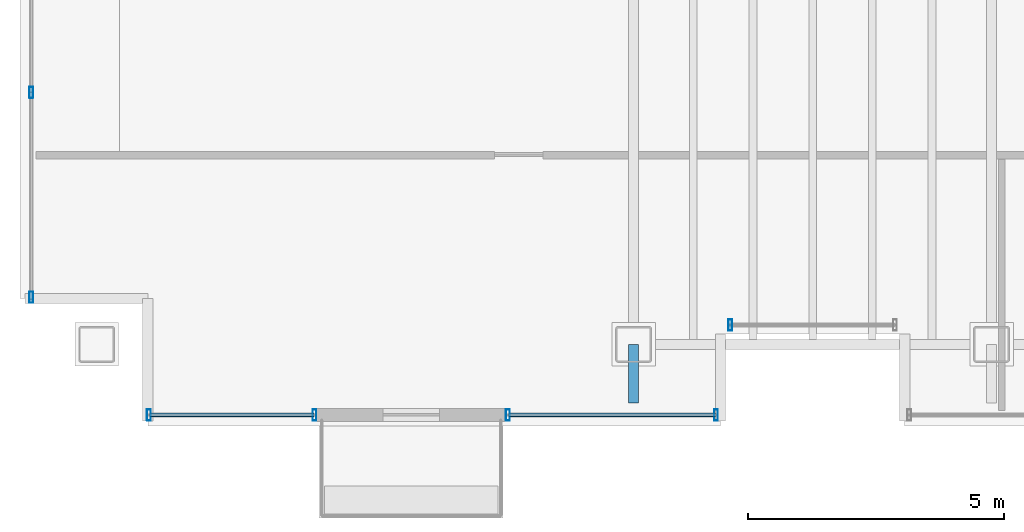
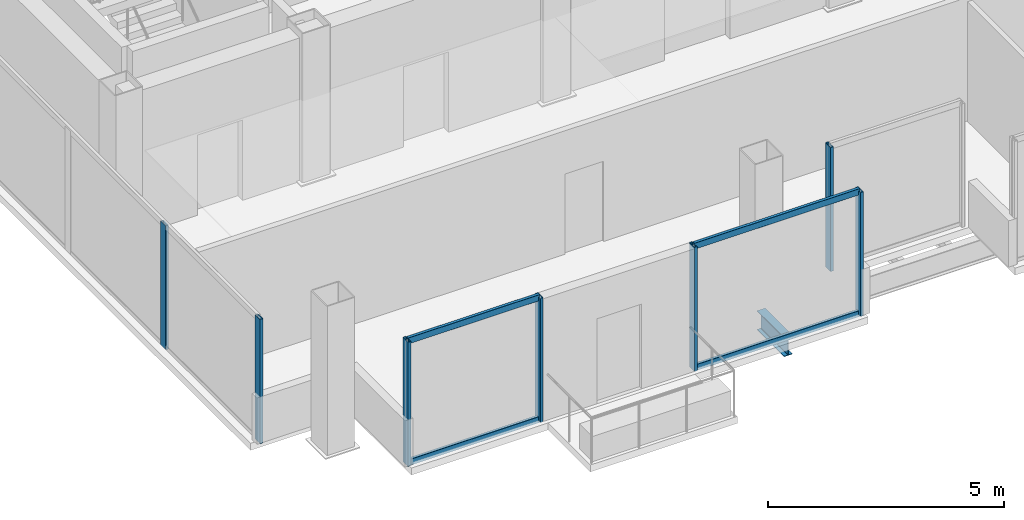
# One storey, part 2 of 17: 11 members, 1 beam, 4 elements without a shape of their own.
"""IFC4 building model written with IfcOpenShell, lengths in metres."""

from ifc_helpers import new_model, si_unit, direction, frame, origin, origin_2d, place, context, subcontext, project, spatial, hollow_rectangle, i_section, extrude, material, material_profile, profile_set, type_object, element, aggregate, save


model = new_model("IFC4")

# Units and contexts
model_context = context("Model", 3, precision=1e-05, world=origin(), true_north=direction((0.0, 1.0)))
body_context = subcontext(model_context, "Body", "Model", "MODEL_VIEW")
ifc_project = project(units=[si_unit("LENGTHUNIT", "METRE"), si_unit("AREAUNIT", "SQUARE_METRE"), si_unit("VOLUMEUNIT", "CUBIC_METRE"), si_unit("PLANEANGLEUNIT", "RADIAN"), si_unit("MASSUNIT", "GRAM", prefix="KILO")], contexts=[model_context])

# Site, building, storey
site_placement = place(None, origin())
site = spatial("IfcSite", under=ifc_project, at=site_placement, CompositionType="ELEMENT")
building_placement = place(site_placement, origin())
building = spatial("IfcBuilding", under=site, at=building_placement, Name="Noeulbin Bourse Tower", CompositionType="ELEMENT")
storey_placement = place(building_placement, frame((0.0, 0.0, 285.199951171875)))
storey = spatial("IfcBuildingStorey", under=building, at=storey_placement, Name="L71", CompositionType="ELEMENT", Elevation=285.199951171875)

# Beam
ifc_material_1 = material(Name="Steel S355", Category="steel")
ifc_material_profile_1 = material_profile(ifc_material_1, i_section(OverallWidth=0.199951171875, OverallDepth=0.5, WebThickness=0.010009765625, FlangeThickness=0.01611328125, FilletRadius=0.02001953125, at=origin_2d()), Name="H-500x200x10x16", Category="LoadBearing")
ifc_profile_set_1 = profile_set([ifc_material_profile_1], Name="Steel S355")
beam_type = type_object("IfcBeamType", Name="BM-GRD-500", PredefinedType="USERDEFINED", material=ifc_profile_set_1)
beam_placement = place(storey_placement, frame((24.0, 18.85009765625, -0.429931640625), z_axis=(0.0, 1.0, 0.0), x_axis=(-1.0, 0.0, 0.0)))
element("IfcBeam", 1, at=beam_placement, inside=storey, type_object=beam_type, Name="Tower Primary Girder NS L71-2.1", ObjectType="GIRDER", PredefinedType="USERDEFINED", context=body_context, shape_type="SweptSolid", body=[
    extrude(i_section(OverallWidth=0.199951171875, OverallDepth=0.5, WebThickness=0.010009765625, FlangeThickness=0.01611328125, FilletRadius=0.02001953125, at=origin_2d()), origin(), (0.0, 0.0, 1.0), 1.14990234375),
])

# Curtain wall, member
ifc_material_2 = material(Name="High-Selectivity Low-Iron Glazing", Category="glass")
curtain_wall_type = type_object("IfcCurtainWallType", Name="CW-SYS-4", PredefinedType="NOTDEFINED", material=ifc_material_2)
curtain_wall_1_placement = place(storey_placement, origin())
curtain_wall_1 = element("IfcCurtainWall", 2, at=curtain_wall_1_placement, inside=storey, type_object=curtain_wall_type, Name="Unitised Curtain Wall CW-L71-SREC", PredefinedType="NOTDEFINED")
ifc_material_3 = material(Name="Anodised Aluminium 6063-T6", Category="aluminium")
ifc_material_profile_2 = material_profile(ifc_material_3, hollow_rectangle(XDim=0.074951171875, YDim=0.219970703125, WallThickness=0.0048828125, InnerFilletRadius=0.00244140625, OuterFilletRadius=0.0048828125, at=origin_2d()), Name="ALU-MULL-75x220x5", Category="LoadBearing")
ifc_profile_set_2 = profile_set([ifc_material_profile_2], Name="Anodised Aluminium 6063-T6")
member_type_1 = type_object("IfcMemberType", Name="CW-SYS-4-MUL", PredefinedType="MULLION", material=ifc_profile_set_2)
member_1_placement = place(storey_placement, frame((25.889892578125, 20.3798828125, -0.02001953125), z_axis=(0.0, 0.0, 1.0), x_axis=(1.0, 0.0, 0.0)))
member_1 = element("IfcMember", 3, at=member_1_placement, type_object=member_type_1, Name="Curtain Wall Mullion CW-L71-SREC-M00", PredefinedType="MULLION", context=body_context, shape_type="SweptSolid", body=[
    extrude(hollow_rectangle(XDim=0.074951171875, YDim=0.219970703125, WallThickness=0.0048828125, InnerFilletRadius=0.00244140625, OuterFilletRadius=0.0048828125, at=origin_2d()), origin(), (0.0, 0.0, 1.0), 3.219970703125),
])
aggregate(curtain_wall_1, [member_1])

# Curtain wall, members
curtain_wall_2_placement = place(storey_placement, origin())
curtain_wall_2 = element("IfcCurtainWall", 4, at=curtain_wall_2_placement, inside=storey, type_object=curtain_wall_type, Name="Unitised Curtain Wall CW-L71-S1", PredefinedType="NOTDEFINED")
member_2_placement = place(storey_placement, frame((14.52001953125, 18.6201171875, -0.02001953125), z_axis=(0.0, 0.0, 1.0), x_axis=(1.0, 0.0, 0.0)))
member_2 = element("IfcMember", 5, at=member_2_placement, type_object=member_type_1, Name="Curtain Wall Mullion CW-L71-S1-M00", PredefinedType="MULLION", context=body_context, shape_type="SweptSolid", body=[
    extrude(hollow_rectangle(XDim=0.074951171875, YDim=0.219970703125, WallThickness=0.0048828125, InnerFilletRadius=0.00244140625, OuterFilletRadius=0.0048828125, at=origin_2d()), origin(), (0.0, 0.0, 1.0), 3.219970703125),
])
member_3_placement = place(storey_placement, frame((17.760009765625, 18.6201171875, -0.02001953125), z_axis=(0.0, 0.0, 1.0), x_axis=(1.0, 0.0, 0.0)))
member_3 = element("IfcMember", 6, at=member_3_placement, type_object=member_type_1, Name="Curtain Wall Mullion CW-L71-S1-M01", PredefinedType="MULLION", context=body_context, shape_type="SweptSolid", body=[
    extrude(hollow_rectangle(XDim=0.074951171875, YDim=0.219970703125, WallThickness=0.0048828125, InnerFilletRadius=0.00244140625, OuterFilletRadius=0.0048828125, at=origin_2d()), origin(), (0.0, 0.0, 1.0), 3.219970703125),
])

curtain_wall_3_placement = place(storey_placement, origin())
curtain_wall_3 = element("IfcCurtainWall", 7, at=curtain_wall_3_placement, inside=storey, type_object=curtain_wall_type, Name="Unitised Curtain Wall CW-L71-S2", PredefinedType="NOTDEFINED")
member_4_placement = place(storey_placement, frame((21.5400390625, 18.6201171875, -0.02001953125), z_axis=(0.0, 0.0, 1.0), x_axis=(1.0, 0.0, 0.0)))
member_4 = element("IfcMember", 8, at=member_4_placement, type_object=member_type_1, Name="Curtain Wall Mullion CW-L71-S2-M00", PredefinedType="MULLION", context=body_context, shape_type="SweptSolid", body=[
    extrude(hollow_rectangle(XDim=0.074951171875, YDim=0.219970703125, WallThickness=0.0048828125, InnerFilletRadius=0.00244140625, OuterFilletRadius=0.0048828125, at=origin_2d()), origin(), (0.0, 0.0, 1.0), 3.219970703125),
])
member_5_placement = place(storey_placement, frame((25.610107421875, 18.6201171875, -0.02001953125), z_axis=(0.0, 0.0, 1.0), x_axis=(1.0, 0.0, 0.0)))
member_5 = element("IfcMember", 9, at=member_5_placement, type_object=member_type_1, Name="Curtain Wall Mullion CW-L71-S2-M01", PredefinedType="MULLION", context=body_context, shape_type="SweptSolid", body=[
    extrude(hollow_rectangle(XDim=0.074951171875, YDim=0.219970703125, WallThickness=0.0048828125, InnerFilletRadius=0.00244140625, OuterFilletRadius=0.0048828125, at=origin_2d()), origin(), (0.0, 0.0, 1.0), 3.219970703125),
])

curtain_wall_4_placement = place(storey_placement, origin())
curtain_wall_4 = element("IfcCurtainWall", 10, at=curtain_wall_4_placement, inside=storey, type_object=curtain_wall_type, Name="Unitised Curtain Wall CW-L71-W", PredefinedType="NOTDEFINED")
member_6_placement = place(storey_placement, frame((12.219970703125, 20.919921875, -0.02001953125), z_axis=(0.0, 0.0, 1.0), x_axis=(1.0, 0.0, 0.0)))
member_6 = element("IfcMember", 11, at=member_6_placement, type_object=member_type_1, Name="Curtain Wall Mullion CW-L71-W-M00", PredefinedType="MULLION", context=body_context, shape_type="SweptSolid", body=[
    extrude(hollow_rectangle(XDim=0.074951171875, YDim=0.219970703125, WallThickness=0.0048828125, InnerFilletRadius=0.00244140625, OuterFilletRadius=0.0048828125, at=origin_2d()), origin(), (0.0, 0.0, 1.0), 3.219970703125),
])
member_7_placement = place(storey_placement, frame((12.219970703125, 24.927978515625, -0.02001953125), z_axis=(0.0, 0.0, 1.0), x_axis=(1.0, 0.0, 0.0)))
member_7 = element("IfcMember", 12, at=member_7_placement, type_object=member_type_1, Name="Curtain Wall Mullion CW-L71-W-M01", PredefinedType="MULLION", context=body_context, shape_type="SweptSolid", body=[
    extrude(hollow_rectangle(XDim=0.074951171875, YDim=0.219970703125, WallThickness=0.0048828125, InnerFilletRadius=0.00244140625, OuterFilletRadius=0.0048828125, at=origin_2d()), origin(), (0.0, 0.0, 1.0), 3.219970703125),
])
aggregate(curtain_wall_4, [member_6, member_7])

# Member
ifc_material_profile_3 = material_profile(ifc_material_3, hollow_rectangle(XDim=0.074951171875, YDim=0.159912109375, WallThickness=0.0048828125, InnerFilletRadius=0.00244140625, OuterFilletRadius=0.0048828125, at=origin_2d()), Name="ALU-TRAN-75x160x5", Category="LoadBearing")
ifc_profile_set_3 = profile_set([ifc_material_profile_3], Name="Anodised Aluminium 6063-T6")
member_type_2 = type_object("IfcMemberType", Name="CW-SYS-4-TRN", PredefinedType="USERDEFINED", material=ifc_profile_set_3)
member_8_placement = place(storey_placement, frame((14.530029296875, 18.6201171875, 0.010009765625), z_axis=(1.0, 0.0, 0.0), x_axis=(0.0, 1.0, 0.0)))
member_8 = element("IfcMember", 13, at=member_8_placement, type_object=member_type_2, Name="Curtain Wall Transom CW-L71-S1-T00", ObjectType="TRANSOM", PredefinedType="USERDEFINED", context=body_context, shape_type="SweptSolid", body=[
    extrude(hollow_rectangle(XDim=0.074951171875, YDim=0.159912109375, WallThickness=0.0048828125, InnerFilletRadius=0.00244140625, OuterFilletRadius=0.0048828125, at=origin_2d()), origin(), (0.0, 0.0, 1.0), 3.219970703125),
])

member_9_placement = place(storey_placement, frame((14.530029296875, 18.6201171875, 3.170166015625), z_axis=(1.0, 0.0, 0.0), x_axis=(0.0, 1.0, 0.0)))
member_9 = element("IfcMember", 14, at=member_9_placement, type_object=member_type_2, Name="Curtain Wall Transom CW-L71-S1-T01", ObjectType="TRANSOM", PredefinedType="USERDEFINED", context=body_context, shape_type="SweptSolid", body=[
    extrude(hollow_rectangle(XDim=0.074951171875, YDim=0.159912109375, WallThickness=0.0048828125, InnerFilletRadius=0.00244140625, OuterFilletRadius=0.0048828125, at=origin_2d()), origin(), (0.0, 0.0, 1.0), 3.219970703125),
])

aggregate(curtain_wall_2, [member_2, member_3, member_8, member_9])

member_10_placement = place(storey_placement, frame((21.550048828125, 18.6201171875, 0.010009765625), z_axis=(1.0, 0.0, 0.0), x_axis=(0.0, 1.0, 0.0)))
member_10 = element("IfcMember", 15, at=member_10_placement, type_object=member_type_2, Name="Curtain Wall Transom CW-L71-S2-T00", ObjectType="TRANSOM", PredefinedType="USERDEFINED", context=body_context, shape_type="SweptSolid", body=[
    extrude(hollow_rectangle(XDim=0.074951171875, YDim=0.159912109375, WallThickness=0.0048828125, InnerFilletRadius=0.00244140625, OuterFilletRadius=0.0048828125, at=origin_2d()), origin(), (0.0, 0.0, 1.0), 4.050048828125),
])

member_11_placement = place(storey_placement, frame((21.550048828125, 18.6201171875, 3.170166015625), z_axis=(1.0, 0.0, 0.0), x_axis=(0.0, 1.0, 0.0)))
member_11 = element("IfcMember", 16, at=member_11_placement, type_object=member_type_2, Name="Curtain Wall Transom CW-L71-S2-T01", ObjectType="TRANSOM", PredefinedType="USERDEFINED", context=body_context, shape_type="SweptSolid", body=[
    extrude(hollow_rectangle(XDim=0.074951171875, YDim=0.159912109375, WallThickness=0.0048828125, InnerFilletRadius=0.00244140625, OuterFilletRadius=0.0048828125, at=origin_2d()), origin(), (0.0, 0.0, 1.0), 4.050048828125),
])

aggregate(curtain_wall_3, [member_4, member_5, member_10, member_11])

save(model, "model.ifc")
